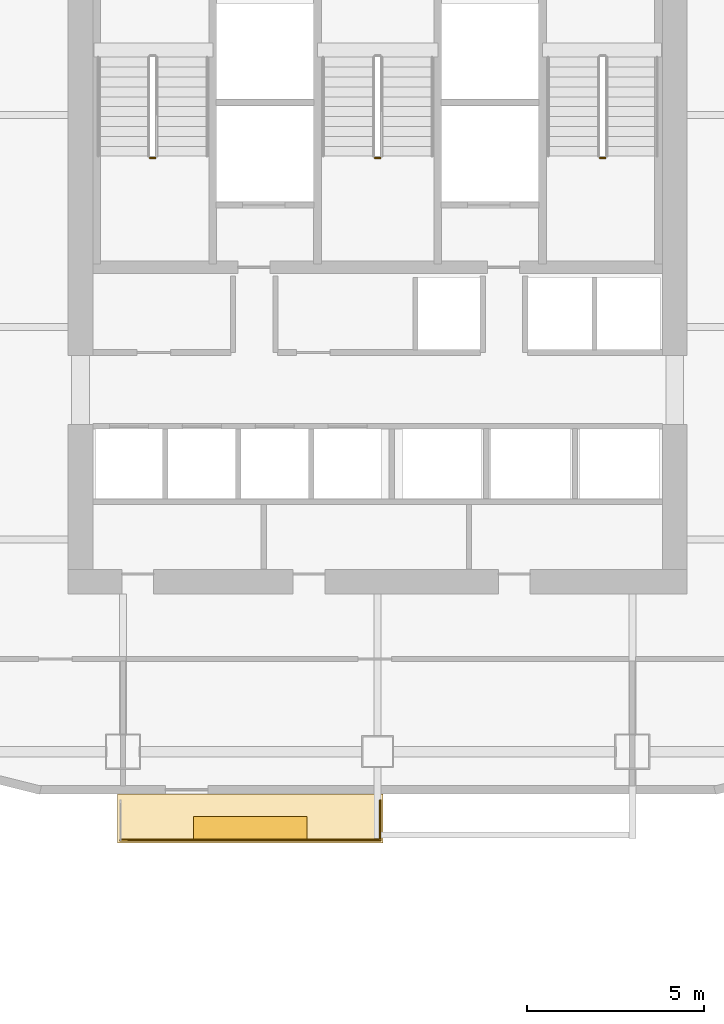
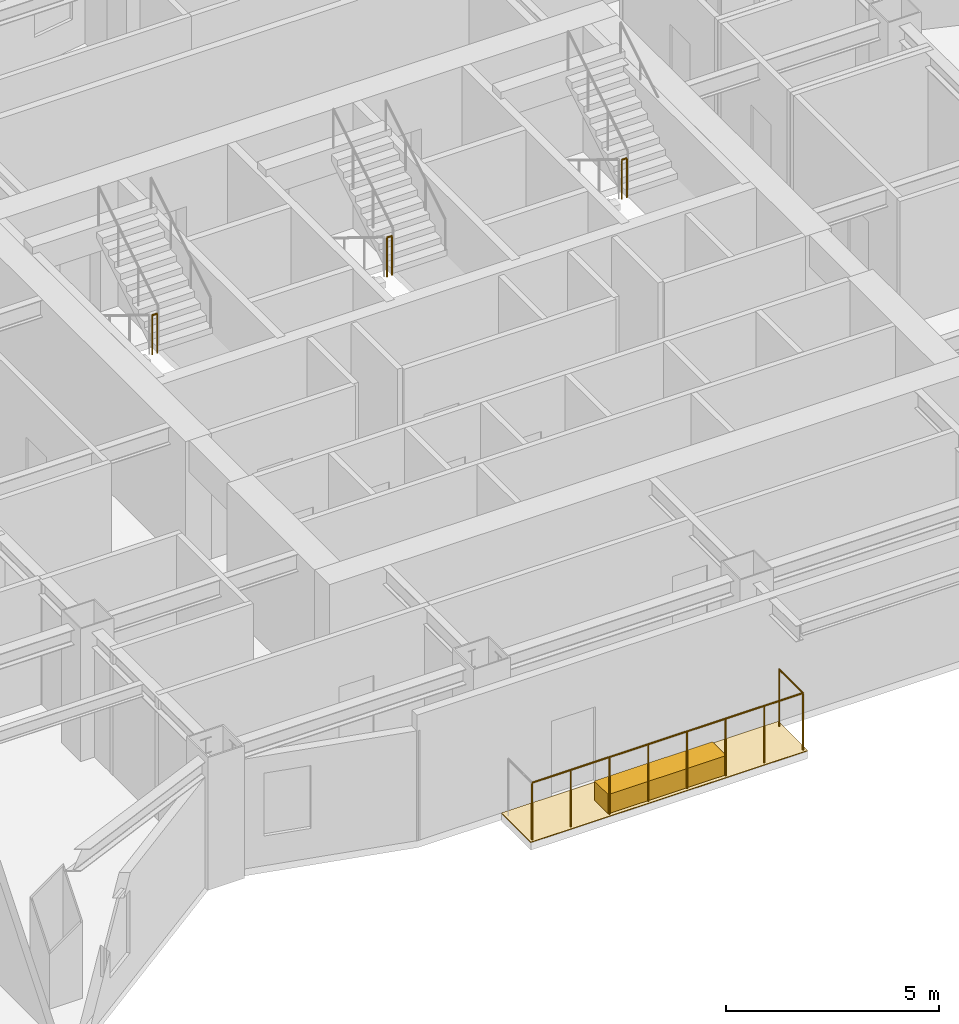
# One storey, part 12 of 14: 4 railings, 2 coverings.
"""IFC4 building model written with IfcOpenShell, lengths in metres."""

from ifc_helpers import new_model, si_unit, direction, frame, origin, origin_2d, place, context, subcontext, project, spatial, polyline, rectangle, circle, outline, extrude, material, layer, layer_set, type_object, element, save


model = new_model("IFC4")

# Units and contexts
model_context = context("Model", 3, precision=1e-05, world=origin(), true_north=direction((0.0, 1.0)))
body_context = subcontext(model_context, "Body", "Model", "MODEL_VIEW")
ifc_project = project(units=[si_unit("LENGTHUNIT", "METRE"), si_unit("AREAUNIT", "SQUARE_METRE"), si_unit("VOLUMEUNIT", "CUBIC_METRE"), si_unit("PLANEANGLEUNIT", "RADIAN"), si_unit("MASSUNIT", "GRAM", prefix="KILO")], contexts=[model_context])

# Site, building, storey
site_placement = place(None, origin())
site = spatial("IfcSite", under=ifc_project, at=site_placement, CompositionType="ELEMENT")
building_placement = place(site_placement, origin())
building = spatial("IfcBuilding", under=site, at=building_placement, Name="Haolan Belvedere Tower", CompositionType="ELEMENT")
storey_placement = place(building_placement, frame((0.0, 0.0, 113.60009765625)))
storey = spatial("IfcBuildingStorey", under=building, at=storey_placement, Name="L28", CompositionType="ELEMENT", Elevation=113.60009765625)

# Coverings
ifc_material_1 = material(Name="Engineered lightweight planted garden soil substrate", Category="masonry")
ifc_layer_1 = layer(ifc_material_1, 0.550048828125, Name="Engineered lightweight planted garden soil substrate")
ifc_layer_set_1 = layer_set([ifc_layer_1], Name="Engineered lightweight planted garden soil substrate")
covering_type_1 = type_object("IfcCoveringType", Name="COV-PLANT-550", PredefinedType="MEMBRANE", material=ifc_layer_set_1)
covering_1_placement = place(storey_placement, frame((34.800048828125, 19.43994140625, 0.0), z_axis=(0.0, 0.0, 1.0), x_axis=(1.0, 0.0, 0.0)))
element("IfcCovering", 1, at=covering_1_placement, inside=storey, type_object=covering_type_1, Name="L28 structural tree balcony PLANTER box 1", PredefinedType="MEMBRANE", context=body_context, shape_type="SweptSolid", body=[
    extrude(rectangle(XDim=3.199951171875, YDim=0.64990234375, at=origin_2d()), origin(), (0.0, 0.0, 1.0), 0.550048828125),
])
ifc_material_2 = material(Name="Elastomeric waterproof roofing membrane and stone pavers", Category="masonry")
ifc_layer_2 = layer(ifc_material_2, 0.02001953125, Name="Elastomeric waterproof roofing membrane and stone pavers")
ifc_layer_set_2 = layer_set([ifc_layer_2], Name="Elastomeric waterproof roofing membrane and stone pavers")
covering_type_2 = type_object("IfcCoveringType", Name="COV-ROOF-20", PredefinedType="ROOFING", material=ifc_layer_set_2)
covering_2_placement = place(storey_placement, frame((0.0, 0.0, -0.02001953125)))
element("IfcCovering", 2, at=covering_2_placement, inside=storey, type_object=covering_type_2, Name="L28 tree-balcony waterproof membrane 1", PredefinedType="ROOFING", context=body_context, shape_type="SweptSolid", body=[
    extrude(outline(polyline([(31.050048828125, 19.02001953125), (38.550048828125, 19.02001953125), (38.550048828125, 20.39990234375), (31.050048828125, 20.39990234375), (31.050048828125, 19.02001953125)])), origin(), (0.0, 0.0, 1.0), 0.02001953125),
])

# Railings
ifc_material_3 = material(Name="Brushed stainless steel 304", Category="steel")
railing_type_1 = type_object("IfcRailingType", Name="RL-STAIR-GRD-1150", PredefinedType="GUARDRAIL", material=ifc_material_3)
railing_1_placement = place(storey_placement, frame((31.969970703125, 38.3798828125, 1.89990234375)))
element("IfcRailing", 3, at=railing_1_placement, inside=storey, type_object=railing_type_1, Name="L28 ST1 stair guard 2", PredefinedType="GUARDRAIL", context=body_context, shape_type="SweptSolid", body=[
    extrude(circle(Radius=0.02392578125, at=origin_2d()), frame((0.0, 0.0, 1.1259765625), z_axis=(1.0, 0.0, 0.0), x_axis=(0.0, 1.0, 0.0)), (0.0, 0.0, 1.0), 0.14013671875),
    extrude(circle(Radius=0.02099609375, at=origin_2d()), origin(), (0.0, 0.0, 1.0), 1.101806640625),
    extrude(circle(Radius=0.02099609375, at=origin_2d()), frame((0.14013671875, 0.0, 0.0)), (0.0, 0.0, 1.0), 1.101806640625),
])
railing_2_placement = place(storey_placement, frame((38.330078125, 38.3798828125, 1.89990234375)))
element("IfcRailing", 4, at=railing_2_placement, inside=storey, type_object=railing_type_1, Name="L28 ST3 stair guard 2", PredefinedType="GUARDRAIL", context=body_context, shape_type="SweptSolid", body=[
    extrude(circle(Radius=0.02392578125, at=origin_2d()), frame((0.0, 0.0, 1.1259765625), z_axis=(1.0, 0.0, 0.0), x_axis=(0.0, 1.0, 0.0)), (0.0, 0.0, 1.0), 0.139892578125),
    extrude(circle(Radius=0.02099609375, at=origin_2d()), origin(), (0.0, 0.0, 1.0), 1.101806640625),
    extrude(circle(Radius=0.02099609375, at=origin_2d()), frame((0.139892578125, 0.0, 0.0)), (0.0, 0.0, 1.0), 1.101806640625),
])
railing_3_placement = place(storey_placement, frame((44.68994140625, 38.3798828125, 1.89990234375)))
element("IfcRailing", 5, at=railing_3_placement, inside=storey, type_object=railing_type_1, Name="L28 ST2 stair guard 2", PredefinedType="GUARDRAIL", context=body_context, shape_type="SweptSolid", body=[
    extrude(circle(Radius=0.02392578125, at=origin_2d()), frame((0.0, 0.0, 1.1259765625), z_axis=(1.0, 0.0, 0.0), x_axis=(0.0, 1.0, 0.0)), (0.0, 0.0, 1.0), 0.14013671875),
    extrude(circle(Radius=0.02099609375, at=origin_2d()), origin(), (0.0, 0.0, 1.0), 1.101806640625),
    extrude(circle(Radius=0.02099609375, at=origin_2d()), frame((0.14013671875, 0.0, 0.0)), (0.0, 0.0, 1.0), 1.101806640625),
])
ifc_material_4 = material(Name="Anodised aluminium and laminated glass balustrade", Category="aluminium")
railing_type_2 = type_object("IfcRailingType", Name="RL-TER-BAL-1150", PredefinedType="BALUSTRADE", material=ifc_material_4)
railing_4_placement = place(storey_placement, frame((38.469970703125, 20.219970703125, 0.0)))
element("IfcRailing", 6, at=railing_4_placement, inside=storey, type_object=railing_type_2, Name="L28 outdoor perimeter balustrade BAL-L28-1-2", PredefinedType="BALUSTRADE", context=body_context, shape_type="SweptSolid", body=[
    extrude(circle(Radius=0.02392578125, at=origin_2d()), frame((0.0, 0.0, 1.6259765625), z_axis=(0.0, -1.0, 0.0), x_axis=(1.0, 0.0, 0.0)), (0.0, 0.0, 1.0), 1.119873046875),
    extrude(circle(Radius=0.02392578125, at=origin_2d()), frame((0.0, -1.119873046875, 1.6259765625), z_axis=(-1.0, 0.0, 0.0), x_axis=(0.0, -1.0, 0.0)), (0.0, 0.0, 1.0), 7.340087890625),
    extrude(circle(Radius=0.02099609375, at=origin_2d()), origin(), (0.0, 0.0, 1.0), 1.601806640625),
    extrude(circle(Radius=0.02099609375, at=origin_2d()), frame((0.0, -1.119873046875, 0.0)), (0.0, 0.0, 1.0), 1.601806640625),
    extrude(circle(Radius=0.02099609375, at=origin_2d()), frame((-1.048583984375, -1.119873046875, 0.0)), (0.0, 0.0, 1.0), 1.601806640625),
    extrude(circle(Radius=0.02099609375, at=origin_2d()), frame((-2.09716796875, -1.119873046875, 0.0)), (0.0, 0.0, 1.0), 1.601806640625),
    extrude(circle(Radius=0.02099609375, at=origin_2d()), frame((-3.145751953125, -1.119873046875, 0.0)), (0.0, 0.0, 1.0), 1.601806640625),
    extrude(circle(Radius=0.02099609375, at=origin_2d()), frame((-4.1943359375, -1.119873046875, 0.0)), (0.0, 0.0, 1.0), 1.601806640625),
    extrude(circle(Radius=0.02099609375, at=origin_2d()), frame((-5.242919921875, -1.119873046875, 0.0)), (0.0, 0.0, 1.0), 1.601806640625),
    extrude(circle(Radius=0.02099609375, at=origin_2d()), frame((-6.29150390625, -1.119873046875, 0.0)), (0.0, 0.0, 1.0), 1.601806640625),
    extrude(circle(Radius=0.02099609375, at=origin_2d()), frame((-7.340087890625, -1.119873046875, 0.0)), (0.0, 0.0, 1.0), 1.601806640625),
])

save(model, "model.ifc")
